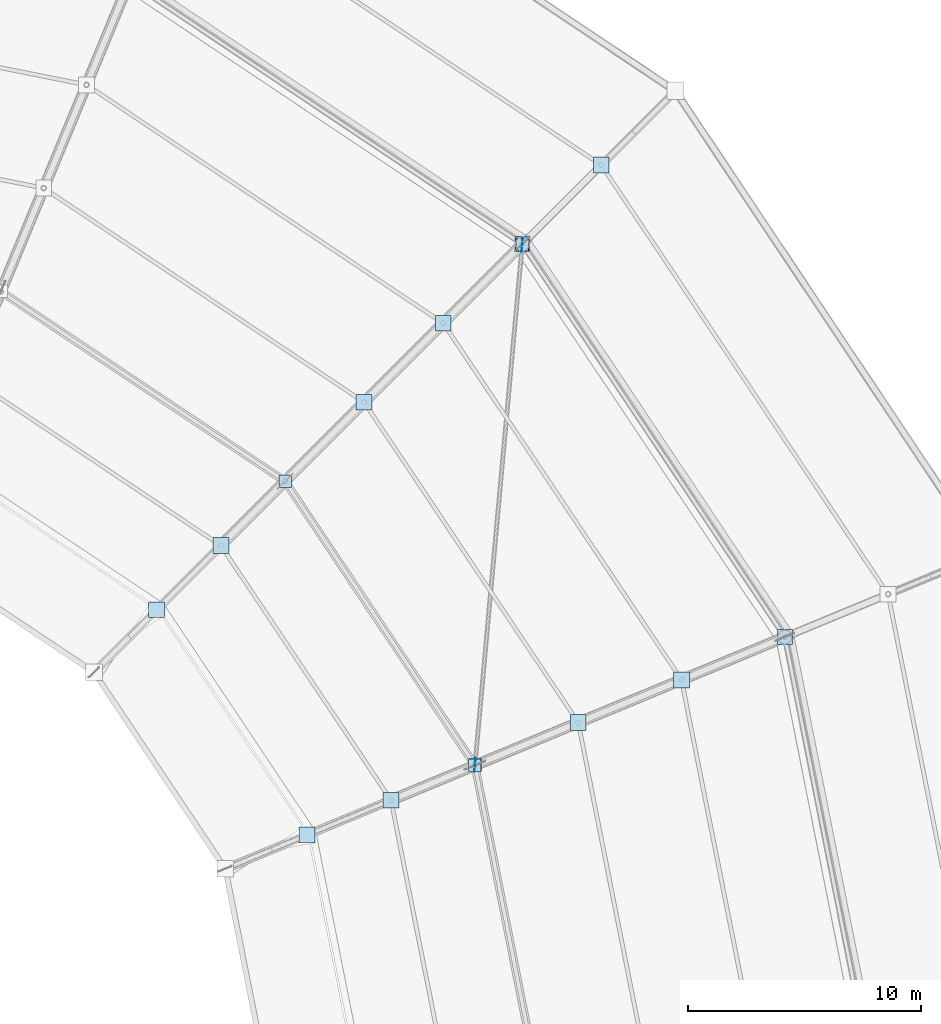
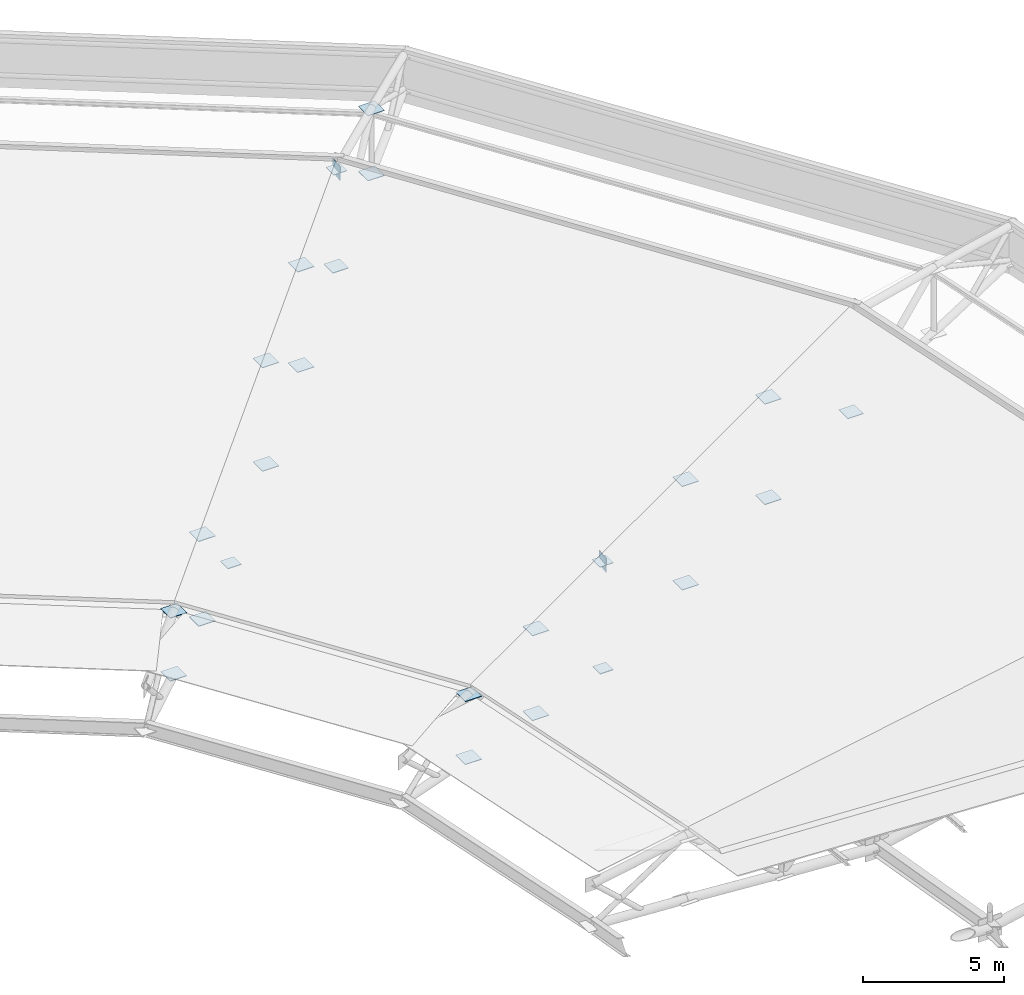
# One storey, part 141 of 146: 26 plates.
"""IFC4 building model written with IfcOpenShell, lengths in metres."""

from ifc_helpers import new_model, si_unit, direction, frame, origin, origin_2d, place, context, subcontext, project, spatial, rectangle, extrude, material, layer, layer_set, type_object, element, save


model = new_model("IFC4")

# Units and contexts
model_context = context("Model", 3, precision=1e-05, world=origin(), true_north=direction((0.0, 1.0)))
body_context = subcontext(model_context, "Body", "Model", "MODEL_VIEW")
ifc_project = project(units=[si_unit("LENGTHUNIT", "METRE"), si_unit("AREAUNIT", "SQUARE_METRE"), si_unit("VOLUMEUNIT", "CUBIC_METRE"), si_unit("PLANEANGLEUNIT", "RADIAN"), si_unit("MASSUNIT", "GRAM", prefix="KILO")], contexts=[model_context])

# Site, building, storey
site_placement = place(None, origin())
site = spatial("IfcSite", under=ifc_project, at=site_placement, CompositionType="ELEMENT")
building_placement = place(site_placement, origin())
building = spatial("IfcBuilding", under=site, at=building_placement, Name="Candeia Ridge Stadium", CompositionType="ELEMENT")
storey_placement = place(building_placement, frame((0.0, 0.0, 31.800048828125)))
storey = spatial("IfcBuildingStorey", under=building, at=storey_placement, Name="RF", CompositionType="ELEMENT", Elevation=31.800048828125)

# Plates
ifc_material = material(Name="Steel ASTM A572 Grade 50", Category="steel")
ifc_layer_1 = layer(ifc_material, 0.02490234375, Name="Steel ASTM A572 Grade 50", Category="steel")
ifc_layer_set_1 = layer_set([ifc_layer_1], Name="Steel ASTM A572 Grade 50")
plate_type_1 = type_object("IfcPlateType", Name="Hollow Section End Closure Plate CP1", PredefinedType="SHEET", material=ifc_layer_set_1)
plate_1_placement = place(storey_placement, frame((175.73779296875, 109.388916015625, -2.676513671875), z_axis=(0.0, 0.0, 1.0), x_axis=(1.0, 0.0, 0.0)))
element("IfcPlate", 1, at=plate_1_placement, inside=storey, type_object=plate_type_1, Name="Hollow section end closure plate MCAP-T-BC-MD-33", PredefinedType="SHEET", context=body_context, shape_type="SweptSolid", body=[
    extrude(rectangle(XDim=0.5400390625, YDim=0.5400390625, at=origin_2d()), origin(), (0.0, 0.0, 1.0), 0.02490234375),
])
plate_2_placement = place(storey_placement, frame((189.041748046875, 114.899658203125, 0.387451171875), z_axis=(0.0, 0.0, 1.0), x_axis=(1.0, 0.0, 0.0)))
element("IfcPlate", 2, at=plate_2_placement, inside=storey, type_object=plate_type_1, Name="Hollow section end closure plate MCAP-T-BC-OU-33", PredefinedType="SHEET", context=body_context, shape_type="SweptSolid", body=[
    extrude(rectangle(XDim=0.639892578125, YDim=0.639892578125, at=origin_2d()), origin(), (0.0, 0.0, 1.0), 0.02490234375),
])
plate_3_placement = place(storey_placement, frame((167.587158203125, 121.587158203125, -2.676513671875), z_axis=(0.0, 0.0, 1.0), x_axis=(1.0, 0.0, 0.0)))
element("IfcPlate", 3, at=plate_3_placement, inside=storey, type_object=plate_type_1, Name="Hollow section end closure plate MCAP-T-BC-MD-34", PredefinedType="SHEET", context=body_context, shape_type="SweptSolid", body=[
    extrude(rectangle(XDim=0.5400390625, YDim=0.5400390625, at=origin_2d()), origin(), (0.0, 0.0, 1.0), 0.02490234375),
])
plate_4_placement = place(storey_placement, frame((177.76953125, 131.76953125, 0.387451171875), z_axis=(0.0, 0.0, 1.0), x_axis=(1.0, 0.0, 0.0)))
element("IfcPlate", 4, at=plate_4_placement, inside=storey, type_object=plate_type_1, Name="Hollow section end closure plate MCAP-T-BC-OU-34", PredefinedType="SHEET", context=body_context, shape_type="SweptSolid", body=[
    extrude(rectangle(XDim=0.639892578125, YDim=0.639892578125, at=origin_2d()), origin(), (0.0, 0.0, 1.0), 0.02490234375),
])
ifc_layer_2 = layer(ifc_material, 0.02490234375, Name="Steel ASTM A572 Grade 50", Category="steel")
ifc_layer_set_2 = layer_set([ifc_layer_2], Name="Steel ASTM A572 Grade 50")
plate_type_2 = type_object("IfcPlateType", Name="Hollow Section End Closure Plate CP3", PredefinedType="SHEET", material=ifc_layer_set_2)
for number, where, z_axis, x_axis, name in (
    (5, (168.531494140625, 106.404052734375, 0.530517578125), (0.0, 0.0, 1.0), (1.0, 0.0, 0.0), "Hollow section end closure plate NCAP-T-33-1"),
    (6, (168.531494140625, 106.404052734375, -2.186767578125), (0.0, 0.0, 1.0), (1.0, 0.0, 0.0), "Hollow section end closure plate NCAP-B-33-1"),
    (7, (172.134765625, 107.896484375, 1.201904296875), (0.0, 0.0, 1.0), (1.0, 0.0, 0.0), "Hollow section end closure plate NCAP-T-33-2"),
    (8, (172.134765625, 107.896484375, -2.45654296875), (0.0, 0.0, 1.0), (1.0, 0.0, 0.0), "Hollow section end closure plate NCAP-B-33-2"),
    (9, (180.172607421875, 111.225830078125, 2.8115234375), (0.0, 0.0, 1.0), (1.0, 0.0, 0.0), "Hollow section end closure plate NCAP-T-33-4"),
    (10, (180.172607421875, 111.225830078125, -1.6552734375), (0.0, 0.0, 1.0), (1.0, 0.0, 0.0), "Hollow section end closure plate NCAP-B-33-4"),
    (11, (184.607177734375, 113.062744140625, 3.699462890625), (0.0, 0.0, 1.0), (1.0, 0.0, 0.0), "Hollow section end closure plate NCAP-T-33-5"),
    (12, (184.607177734375, 113.062744140625, -0.6337890625), (0.0, 0.0, 1.0), (1.0, 0.0, 0.0), "Hollow section end closure plate NCAP-B-33-5"),
):
    element("IfcPlate", number, at=place(storey_placement, frame(where, z_axis=z_axis, x_axis=x_axis)), inside=storey, type_object=plate_type_2, Name=name, PredefinedType="SHEET", context=body_context, shape_type="SweptSolid", body=[
        extrude(rectangle(XDim=0.679931640625, YDim=0.679931640625, at=origin_2d()), origin(), (0.0, 0.0, 1.0), 0.02490234375),
    ])
for number, where, z_axis, x_axis, name in (
    (13, (175.73974609375, 109.40869140625, 1.92578125), (0.0, 0.0, 1.0), (1.0, 0.0, 0.0), "Hollow section end closure plate WBCAP-A-33"),
    (14, (177.767822265625, 131.749755859375, 4.585205078125), (0.0, 0.0, 1.0), (1.0, 0.0, 0.0), "Hollow section end closure plate WBCAP-B-33"),
):
    element("IfcPlate", number, at=place(storey_placement, frame(where, z_axis=z_axis, x_axis=x_axis)), inside=storey, type_object=plate_type_2, Name=name, PredefinedType="SHEET", context=body_context, shape_type="SweptSolid", body=[
        extrude(rectangle(XDim=0.550048828125, YDim=0.550048828125, at=origin_2d()), origin(), (0.0, 0.0, 1.0), 0.02490234375),
    ])
for number, where, z_axis, x_axis, name in (
    (15, (162.07177734375, 116.07177734375, 0.530517578125), (0.0, 0.0, 1.0), (1.0, 0.0, 0.0), "Hollow section end closure plate NCAP-T-34-1"),
    (16, (162.07177734375, 116.07177734375, -2.186767578125), (0.0, 0.0, 1.0), (1.0, 0.0, 0.0), "Hollow section end closure plate NCAP-B-34-1"),
    (17, (164.82958984375, 118.82958984375, 1.201904296875), (0.0, 0.0, 1.0), (1.0, 0.0, 0.0), "Hollow section end closure plate NCAP-T-34-2"),
    (18, (164.82958984375, 118.82958984375, -2.45654296875), (0.0, 0.0, 1.0), (1.0, 0.0, 0.0), "Hollow section end closure plate NCAP-B-34-2"),
    (19, (170.9814453125, 124.9814453125, 2.8115234375), (0.0, 0.0, 1.0), (1.0, 0.0, 0.0), "Hollow section end closure plate NCAP-T-34-4"),
    (20, (170.9814453125, 124.9814453125, -1.6552734375), (0.0, 0.0, 1.0), (1.0, 0.0, 0.0), "Hollow section end closure plate NCAP-B-34-4"),
    (21, (174.37548828125, 128.37548828125, 3.699462890625), (0.0, 0.0, 1.0), (1.0, 0.0, 0.0), "Hollow section end closure plate NCAP-T-34-5"),
    (22, (174.37548828125, 128.37548828125, -0.6337890625), (0.0, 0.0, 1.0), (1.0, 0.0, 0.0), "Hollow section end closure plate NCAP-B-34-5"),
    (23, (181.16357421875, 135.16357421875, 3.94580078125), (0.0, 0.0, 1.0), (1.0, 0.0, 0.0), "Hollow section end closure plate NCAP-T-34-7"),
    (24, (181.16357421875, 135.16357421875, 1.139404296875), (0.0, 0.0, 1.0), (1.0, 0.0, 0.0), "Hollow section end closure plate NCAP-B-34-7"),
):
    element("IfcPlate", number, at=place(storey_placement, frame(where, z_axis=z_axis, x_axis=x_axis)), inside=storey, type_object=plate_type_2, Name=name, PredefinedType="SHEET", context=body_context, shape_type="SweptSolid", body=[
        extrude(rectangle(XDim=0.679931640625, YDim=0.679931640625, at=origin_2d()), origin(), (0.0, 0.0, 1.0), 0.02490234375),
    ])
ifc_layer_3 = layer(ifc_material, 0.02392578125, Name="Steel ASTM A572 Grade 50", Category="steel")
ifc_layer_set_3 = layer_set([ifc_layer_3], Name="Steel ASTM A572 Grade 50")
plate_type_3 = type_object("IfcPlateType", Name="Roof Truss Chord-Web Node Gusset ND-3", PredefinedType="USERDEFINED", material=ifc_layer_set_3)
for number, where, z_axis, x_axis, name in (
    (25, (175.73974609375, 109.40869140625, 1.63818359375), (0.0, 0.0, 1.0), (0.090406618864, 0.995904936862, 0.0), "Roof wind brace end gusset A bay 34"),
    (26, (177.767822265625, 131.749755859375, 4.297607421875), (0.0, 0.0, 1.0), (0.090406618864, 0.995904936862, 0.0), "Roof wind brace end gusset B bay 34"),
):
    element("IfcPlate", number, at=place(storey_placement, frame(where, z_axis=z_axis, x_axis=x_axis)), inside=storey, type_object=plate_type_3, Name=name, ObjectType="GUSSET PLATE", PredefinedType="USERDEFINED", context=body_context, shape_type="SweptSolid", body=[
        extrude(rectangle(XDim=0.60009765625, YDim=0.02392578125, at=origin_2d()), origin(), (0.0, 0.0, 1.0), 0.60009765625),
    ])

save(model, "model.ifc")
